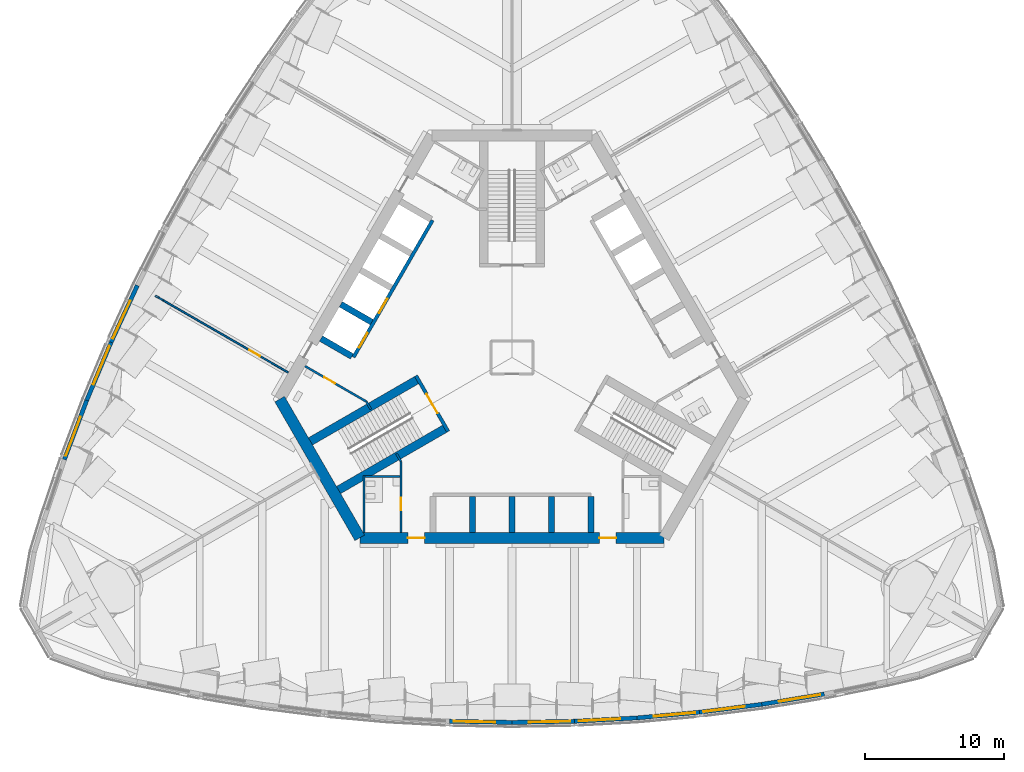
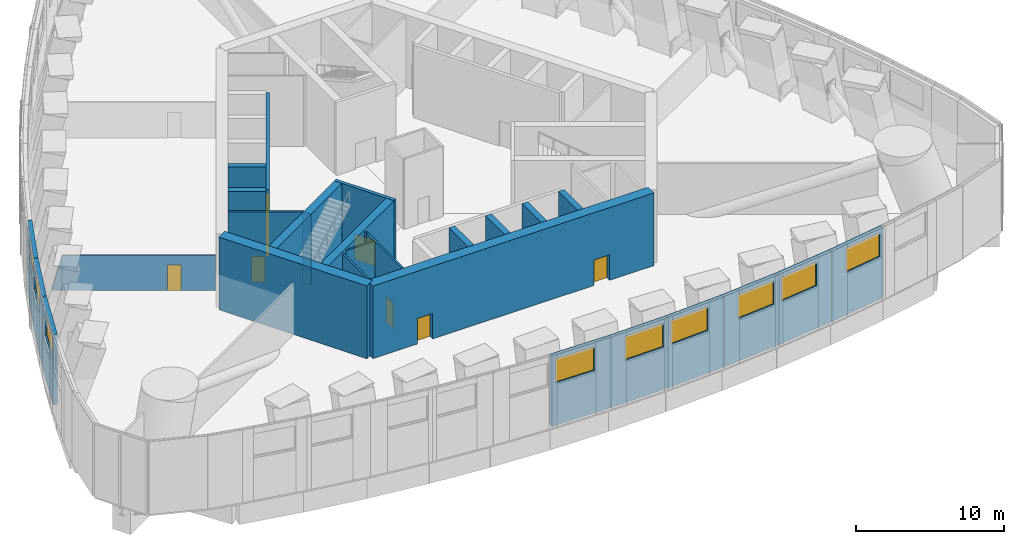
# One storey, part 7 of 25: 29 walls, 9 windows, 8 doors, 17 openings.
"""IFC4 building model written with IfcOpenShell, lengths in metres."""

from ifc_helpers import new_model, si_unit, direction, frame, frame_2d, origin, place, context, subcontext, project, spatial, polyline, rectangle, outline, extrude, material, layer, layer_set, type_object, element, fill, save


model = new_model("IFC4")

# Units and contexts
model_context = context("Model", 3, precision=1e-05, world=origin(), true_north=direction((0.0, 1.0)))
body_context = subcontext(model_context, "Body", "Model", "MODEL_VIEW")
ifc_project = project(units=[si_unit("LENGTHUNIT", "METRE"), si_unit("AREAUNIT", "SQUARE_METRE"), si_unit("VOLUMEUNIT", "CUBIC_METRE"), si_unit("PLANEANGLEUNIT", "RADIAN"), si_unit("MASSUNIT", "GRAM", prefix="KILO")], contexts=[model_context])

# Site, building, storey
site_placement = place(None, origin())
site = spatial("IfcSite", under=ifc_project, at=site_placement, CompositionType="ELEMENT")
building_placement = place(site_placement, origin())
building = spatial("IfcBuilding", under=site, at=building_placement, Name="Trefoil Bronze Tower", CompositionType="ELEMENT")
storey_placement = place(building_placement, frame((0.0, 0.0, 178.699951171875)))
storey = spatial("IfcBuildingStorey", under=building, at=storey_placement, Name="L41", CompositionType="ELEMENT", Elevation=178.699951171875)

# Wall, opening, window
ifc_material_1 = material(Name="Concrete B80", Category="concrete")
ifc_layer_1 = layer(ifc_material_1, 0.300048828125)
ifc_layer_set_1 = layer_set([ifc_layer_1], Name="Belt wall 300")
wall_type_1 = type_object("IfcWallType", Name="Belt wall 300", PredefinedType="SOLIDWALL", material=ifc_layer_set_1)
wall_1_placement = place(storey_placement, frame((-4.5, -26.218505859375, 0.0), z_axis=(0.0, 0.0, 1.0), x_axis=(0.999837820638, -0.018009231578, 0.0)))
wall_1 = element("IfcWall", 1, at=wall_1_placement, inside=storey, type_object=wall_type_1, Name="Belt wall T2.7", PredefinedType="SOLIDWALL", context=body_context, shape_type="SweptSolid", body=[
    extrude(rectangle(XDim=4.500732421875, YDim=0.300048828125, at=frame_2d((2.25048828125, 0.0))), origin(), (0.0, 0.0, 1.0), 5.800048828125),
])
opening_1_placement = place(wall_1_placement, frame((0.300048828125, 0.0, 3.5)))
opening_1 = element("IfcOpeningElement", 2, at=opening_1_placement, cuts=wall_1, Name="Opening LV1", PredefinedType="OPENING", context=body_context, shape_type="SweptSolid", body=[
    extrude(rectangle(XDim=3.0, YDim=2.0, at=frame_2d((1.5, 1.0))), frame((0.0, 0.159912109375, 0.0), z_axis=(0.0, -1.0, 0.0), x_axis=(1.0, 0.0, 0.0)), (0.0, 0.0, 1.0), 0.320068359375),
])
ifc_material_2 = material(Name="Bronze-finish aluminium louvre", Category="aluminium")
window_type = type_object("IfcWindowType", Name="Plant louvre 3000", PartitioningType="SINGLE_PANEL", PredefinedType="USERDEFINED", material=ifc_material_2)
window_1_placement = place(opening_1_placement, origin())
window_1 = element("IfcWindow", 3, at=window_1_placement, inside=storey, type_object=window_type, Name="Plant louvre L41 F1.7.1", ObjectType="LOUVRE", OverallHeight=2.0, OverallWidth=3.0, PartitioningType="SINGLE_PANEL", PredefinedType="USERDEFINED", context=body_context, shape_type="SweptSolid", body=[
    extrude(rectangle(XDim=3.0, YDim=2.0, at=frame_2d((1.5, 1.0))), frame((0.0, 0.030029296875, 0.0), z_axis=(0.0, -1.0, 0.0), x_axis=(1.0, 0.0, 0.0)), (0.0, 0.0, 1.0), 0.06005859375),
])
fill(opening_1, window_1)

wall_2_placement = place(storey_placement, frame((0.0, -26.299560546875, 0.0), z_axis=(0.0, 0.0, 1.0), x_axis=(0.999837820638, 0.018009231578, 0.0)))
wall_2 = element("IfcWall", 4, at=wall_2_placement, inside=storey, type_object=wall_type_1, Name="Belt wall T2.8", PredefinedType="SOLIDWALL", context=body_context, shape_type="SweptSolid", body=[
    extrude(rectangle(XDim=4.500732421875, YDim=0.300048828125, at=frame_2d((2.25048828125, 0.0))), origin(), (0.0, 0.0, 1.0), 5.800048828125),
])
opening_2_placement = place(wall_2_placement, frame((1.20068359375, 0.0, 3.5)))
opening_2 = element("IfcOpeningElement", 5, at=opening_2_placement, cuts=wall_2, Name="Opening LV1", PredefinedType="OPENING", context=body_context, shape_type="SweptSolid", body=[
    extrude(rectangle(XDim=3.0, YDim=2.0, at=frame_2d((1.5, 1.0))), frame((0.0, 0.159912109375, 0.0), z_axis=(0.0, -1.0, 0.0), x_axis=(1.0, 0.0, 0.0)), (0.0, 0.0, 1.0), 0.320068359375),
])
window_2_placement = place(opening_2_placement, origin())
window_2 = element("IfcWindow", 6, at=window_2_placement, inside=storey, type_object=window_type, Name="Plant louvre L41 F1.8.1", ObjectType="LOUVRE", OverallHeight=2.0, OverallWidth=3.0, PartitioningType="SINGLE_PANEL", PredefinedType="USERDEFINED", context=body_context, shape_type="SweptSolid", body=[
    extrude(rectangle(XDim=3.0, YDim=2.0, at=frame_2d((1.5, 1.0))), frame((0.0, 0.030029296875, 0.0), z_axis=(0.0, -1.0, 0.0), x_axis=(1.0, 0.0, 0.0)), (0.0, 0.0, 1.0), 0.06005859375),
])
fill(opening_2, window_2)

wall_3_placement = place(storey_placement, frame((4.5, -26.218505859375, 0.0), z_axis=(0.0, 0.0, 1.0), x_axis=(0.998537376538, 0.054065771581, 0.0)))
wall_3 = element("IfcWall", 7, at=wall_3_placement, inside=storey, type_object=wall_type_1, Name="Belt wall T2.9", PredefinedType="SOLIDWALL", context=body_context, shape_type="SweptSolid", body=[
    extrude(rectangle(XDim=4.506591796875, YDim=0.300048828125, at=frame_2d((2.25341796875, 0.0))), origin(), (0.0, 0.0, 1.0), 5.800048828125),
])
opening_3_placement = place(wall_3_placement, frame((0.300048828125, 0.0, 3.5)))
opening_3 = element("IfcOpeningElement", 8, at=opening_3_placement, cuts=wall_3, Name="Opening LV1", PredefinedType="OPENING", context=body_context, shape_type="SweptSolid", body=[
    extrude(rectangle(XDim=3.0, YDim=2.0, at=frame_2d((1.5, 1.0))), frame((0.0, 0.159912109375, 0.0), z_axis=(0.0, -1.0, 0.0), x_axis=(1.0, 0.0, 0.0)), (0.0, 0.0, 1.0), 0.320068359375),
])
window_3_placement = place(opening_3_placement, origin())
window_3 = element("IfcWindow", 9, at=window_3_placement, inside=storey, type_object=window_type, Name="Plant louvre L41 F1.9.1", ObjectType="LOUVRE", OverallHeight=2.0, OverallWidth=3.0, PartitioningType="SINGLE_PANEL", PredefinedType="USERDEFINED", context=body_context, shape_type="SweptSolid", body=[
    extrude(rectangle(XDim=3.0, YDim=2.0, at=frame_2d((1.5, 1.0))), frame((0.0, 0.030029296875, 0.0), z_axis=(0.0, -1.0, 0.0), x_axis=(1.0, 0.0, 0.0)), (0.0, 0.0, 1.0), 0.06005859375),
])
fill(opening_3, window_3)

wall_4_placement = place(storey_placement, frame((9.0, -25.974853515625, 0.0), z_axis=(0.0, 0.0, 1.0), x_axis=(0.995935173755, 0.090072913121, 0.0)))
wall_4 = element("IfcWall", 10, at=wall_4_placement, inside=storey, type_object=wall_type_1, Name="Belt wall T2.10", PredefinedType="SOLIDWALL", context=body_context, shape_type="SweptSolid", body=[
    extrude(rectangle(XDim=4.518310546875, YDim=0.300048828125, at=frame_2d((2.25927734375, 0.0))), origin(), (0.0, 0.0, 1.0), 5.800048828125),
])
opening_4_placement = place(wall_4_placement, frame((1.21826171875, 0.0, 3.5)))
opening_4 = element("IfcOpeningElement", 11, at=opening_4_placement, cuts=wall_4, Name="Opening LV1", PredefinedType="OPENING", context=body_context, shape_type="SweptSolid", body=[
    extrude(rectangle(XDim=3.0, YDim=2.0, at=frame_2d((1.5, 1.0))), frame((0.0, 0.159912109375, 0.0), z_axis=(0.0, -1.0, 0.0), x_axis=(1.0, 0.0, 0.0)), (0.0, 0.0, 1.0), 0.320068359375),
])
window_4_placement = place(opening_4_placement, origin())
window_4 = element("IfcWindow", 12, at=window_4_placement, inside=storey, type_object=window_type, Name="Plant louvre L41 F1.10.1", ObjectType="LOUVRE", OverallHeight=2.0, OverallWidth=3.0, PartitioningType="SINGLE_PANEL", PredefinedType="USERDEFINED", context=body_context, shape_type="SweptSolid", body=[
    extrude(rectangle(XDim=3.0, YDim=2.0, at=frame_2d((1.5, 1.0))), frame((0.0, 0.030029296875, 0.0), z_axis=(0.0, -1.0, 0.0), x_axis=(1.0, 0.0, 0.0)), (0.0, 0.0, 1.0), 0.06005859375),
])
fill(opening_4, window_4)

wall_5_placement = place(storey_placement, frame((13.5, -25.56787109375, 0.0), z_axis=(0.0, 0.0, 1.0), x_axis=(0.992010652594, 0.12615413247, 0.0)))
wall_5 = element("IfcWall", 13, at=wall_5_placement, inside=storey, type_object=wall_type_1, Name="Belt wall T2.11", PredefinedType="SOLIDWALL", context=body_context, shape_type="SweptSolid", body=[
    extrude(rectangle(XDim=4.5361328125, YDim=0.300048828125, at=frame_2d((2.26806640625, 0.0))), origin(), (0.0, 0.0, 1.0), 5.800048828125),
])
opening_5_placement = place(wall_5_placement, frame((0.300048828125, 0.0, 3.5)))
opening_5 = element("IfcOpeningElement", 14, at=opening_5_placement, cuts=wall_5, Name="Opening LV1", PredefinedType="OPENING", context=body_context, shape_type="SweptSolid", body=[
    extrude(rectangle(XDim=3.0, YDim=2.0, at=frame_2d((1.5, 1.0))), frame((0.0, 0.159912109375, 0.0), z_axis=(0.0, -1.0, 0.0), x_axis=(1.0, 0.0, 0.0)), (0.0, 0.0, 1.0), 0.320068359375),
])
window_5_placement = place(opening_5_placement, origin())
window_5 = element("IfcWindow", 15, at=window_5_placement, inside=storey, type_object=window_type, Name="Plant louvre L41 F1.11.1", ObjectType="LOUVRE", OverallHeight=2.0, OverallWidth=3.0, PartitioningType="SINGLE_PANEL", PredefinedType="USERDEFINED", context=body_context, shape_type="SweptSolid", body=[
    extrude(rectangle(XDim=3.0, YDim=2.0, at=frame_2d((1.5, 1.0))), frame((0.0, 0.030029296875, 0.0), z_axis=(0.0, -1.0, 0.0), x_axis=(1.0, 0.0, 0.0)), (0.0, 0.0, 1.0), 0.06005859375),
])
fill(opening_5, window_5)

wall_6_placement = place(storey_placement, frame((18.0, -24.99560546875, 0.0), z_axis=(0.0, 0.0, 1.0), x_axis=(0.986756114194, 0.162210884657, 0.0)))
wall_6 = element("IfcWall", 16, at=wall_6_placement, inside=storey, type_object=wall_type_1, Name="Belt wall T2.12", PredefinedType="SOLIDWALL", context=body_context, shape_type="SweptSolid", body=[
    extrude(rectangle(XDim=4.560302734375, YDim=0.300048828125, at=frame_2d((2.2802734375, 0.0))), origin(), (0.0, 0.0, 1.0), 5.800048828125),
])
opening_6_placement = place(wall_6_placement, frame((1.260498046875, 0.0, 3.5)))
opening_6 = element("IfcOpeningElement", 17, at=opening_6_placement, cuts=wall_6, Name="Opening LV1", PredefinedType="OPENING", context=body_context, shape_type="SweptSolid", body=[
    extrude(rectangle(XDim=3.0, YDim=2.0, at=frame_2d((1.5, 1.0))), frame((0.0, 0.159912109375, 0.0), z_axis=(0.0, -1.0, 0.0), x_axis=(1.0, 0.0, 0.0)), (0.0, 0.0, 1.0), 0.320068359375),
])
window_6_placement = place(opening_6_placement, origin())
window_6 = element("IfcWindow", 18, at=window_6_placement, inside=storey, type_object=window_type, Name="Plant louvre L41 F1.12.1", ObjectType="LOUVRE", OverallHeight=2.0, OverallWidth=3.0, PartitioningType="SINGLE_PANEL", PredefinedType="USERDEFINED", context=body_context, shape_type="SweptSolid", body=[
    extrude(rectangle(XDim=3.0, YDim=2.0, at=frame_2d((1.5, 1.0))), frame((0.0, 0.030029296875, 0.0), z_axis=(0.0, -1.0, 0.0), x_axis=(1.0, 0.0, 0.0)), (0.0, 0.0, 1.0), 0.06005859375),
])
fill(opening_6, window_6)

wall_7_placement = place(storey_placement, frame((-26.994873046875, 5.193115234375, 0.0), z_axis=(0.0, 0.0, 1.0), x_axis=(-0.419948870618, -0.907547765171, 0.0)))
wall_7 = element("IfcWall", 19, at=wall_7_placement, inside=storey, type_object=wall_type_1, Name="Belt wall T2.44", PredefinedType="SOLIDWALL", context=body_context, shape_type="SweptSolid", body=[
    extrude(rectangle(XDim=4.518310546875, YDim=0.300048828125, at=frame_2d((2.25927734375, 0.0))), origin(), (0.0, 0.0, 1.0), 5.800048828125),
])
opening_7_placement = place(wall_7_placement, frame((1.21826171875, 0.0, 3.5)))
opening_7 = element("IfcOpeningElement", 20, at=opening_7_placement, cuts=wall_7, Name="Opening LV1", PredefinedType="OPENING", context=body_context, shape_type="SweptSolid", body=[
    extrude(rectangle(XDim=3.0, YDim=2.0, at=frame_2d((1.5, 1.0))), frame((0.0, 0.159912109375, 0.0), z_axis=(0.0, -1.0, 0.0), x_axis=(1.0, 0.0, 0.0)), (0.0, 0.0, 1.0), 0.320068359375),
])
window_7_placement = place(opening_7_placement, origin())
window_7 = element("IfcWindow", 21, at=window_7_placement, inside=storey, type_object=window_type, Name="Plant louvre L41 F3.10.1", ObjectType="LOUVRE", OverallHeight=2.0, OverallWidth=3.0, PartitioningType="SINGLE_PANEL", PredefinedType="USERDEFINED", context=body_context, shape_type="SweptSolid", body=[
    extrude(rectangle(XDim=3.0, YDim=2.0, at=frame_2d((1.5, 1.0))), frame((0.0, 0.030029296875, 0.0), z_axis=(0.0, -1.0, 0.0), x_axis=(1.0, 0.0, 0.0)), (0.0, 0.0, 1.0), 0.06005859375),
])
fill(opening_7, window_7)

wall_8_placement = place(storey_placement, frame((-28.892333984375, 1.092529296875, 0.0), z_axis=(0.0, 0.0, 1.0), x_axis=(-0.386762112496, -0.922179520667, 0.0)))
wall_8 = element("IfcWall", 22, at=wall_8_placement, inside=storey, type_object=wall_type_1, Name="Belt wall T2.45", PredefinedType="SOLIDWALL", context=body_context, shape_type="SweptSolid", body=[
    extrude(rectangle(XDim=4.5361328125, YDim=0.300048828125, at=frame_2d((2.26806640625, 0.0))), origin(), (0.0, 0.0, 1.0), 5.800048828125),
])
opening_8_placement = place(wall_8_placement, frame((0.300048828125, 0.0, 3.5)))
opening_8 = element("IfcOpeningElement", 23, at=opening_8_placement, cuts=wall_8, Name="Opening LV1", PredefinedType="OPENING", context=body_context, shape_type="SweptSolid", body=[
    extrude(rectangle(XDim=3.0, YDim=2.0, at=frame_2d((1.5, 1.0))), frame((0.0, 0.159912109375, 0.0), z_axis=(0.0, -1.0, 0.0), x_axis=(1.0, 0.0, 0.0)), (0.0, 0.0, 1.0), 0.320068359375),
])
window_8_placement = place(opening_8_placement, origin())
window_8 = element("IfcWindow", 24, at=window_8_placement, inside=storey, type_object=window_type, Name="Plant louvre L41 F3.11.1", ObjectType="LOUVRE", OverallHeight=2.0, OverallWidth=3.0, PartitioningType="SINGLE_PANEL", PredefinedType="USERDEFINED", context=body_context, shape_type="SweptSolid", body=[
    extrude(rectangle(XDim=3.0, YDim=2.0, at=frame_2d((1.5, 1.0))), frame((0.0, 0.030029296875, 0.0), z_axis=(0.0, -1.0, 0.0), x_axis=(1.0, 0.0, 0.0)), (0.0, 0.0, 1.0), 0.06005859375),
])
fill(opening_8, window_8)

wall_9_placement = place(storey_placement, frame((-30.646728515625, -3.090576171875, 0.0), z_axis=(0.0, 0.0, 1.0), x_axis=(-0.352941426142, -0.935645418795, 0.0)))
wall_9 = element("IfcWall", 25, at=wall_9_placement, inside=storey, type_object=wall_type_1, Name="Belt wall T2.46", PredefinedType="SOLIDWALL", context=body_context, shape_type="SweptSolid", body=[
    extrude(rectangle(XDim=4.560546875, YDim=0.300048828125, at=frame_2d((2.2802734375, 0.0))), origin(), (0.0, 0.0, 1.0), 5.800048828125),
])
opening_9_placement = place(wall_9_placement, frame((1.260498046875, 0.0, 3.5)))
opening_9 = element("IfcOpeningElement", 26, at=opening_9_placement, cuts=wall_9, Name="Opening LV1", PredefinedType="OPENING", context=body_context, shape_type="SweptSolid", body=[
    extrude(rectangle(XDim=3.0, YDim=2.0, at=frame_2d((1.5, 1.0))), frame((0.0, 0.159912109375, 0.0), z_axis=(0.0, -1.0, 0.0), x_axis=(1.0, 0.0, 0.0)), (0.0, 0.0, 1.0), 0.320068359375),
])
window_9_placement = place(opening_9_placement, origin())
window_9 = element("IfcWindow", 27, at=window_9_placement, inside=storey, type_object=window_type, Name="Plant louvre L41 F3.12.1", ObjectType="LOUVRE", OverallHeight=2.0, OverallWidth=3.0, PartitioningType="SINGLE_PANEL", PredefinedType="USERDEFINED", context=body_context, shape_type="SweptSolid", body=[
    extrude(rectangle(XDim=3.0, YDim=2.0, at=frame_2d((1.5, 1.0))), frame((0.0, 0.030029296875, 0.0), z_axis=(0.0, -1.0, 0.0), x_axis=(1.0, 0.0, 0.0)), (0.0, 0.0, 1.0), 0.06005859375),
])
fill(opening_9, window_9)

# Wall, openings, doors
ifc_material_3 = material(Name="Concrete B80", Category="concrete")
ifc_layer_2 = layer(ifc_material_3, 0.800048828125)
ifc_layer_set_2 = layer_set([ifc_layer_2], Name="Core wall 800")
wall_type_2 = type_object("IfcWallType", Name="Core wall 800", PredefinedType="SHEAR", material=ifc_layer_set_2)
wall_10_placement = place(storey_placement, frame((-10.9697265625, -13.0, 0.0), z_axis=(0.0, 0.0, 1.0), x_axis=(1.0, 0.0, 0.0)))
wall_10 = element("IfcWall", 28, at=wall_10_placement, inside=storey, type_object=wall_type_2, Name="Core long wall 1 L41", PredefinedType="SHEAR", context=body_context, shape_type="SweptSolid", body=[
    extrude(rectangle(XDim=21.939453125, YDim=0.800048828125, at=frame_2d((10.9697265625, 0.0))), origin(), (0.0, 0.0, 1.0), 6.0),
])
opening_10_placement = place(wall_10_placement, frame((17.269775390625, 0.0, 0.0)))
opening_10 = element("IfcOpeningElement", 29, at=opening_10_placement, cuts=wall_10, Name="Opening D2", PredefinedType="OPENING", context=body_context, shape_type="SweptSolid", body=[
    extrude(rectangle(XDim=1.199951171875, YDim=2.10009765625, at=frame_2d((0.60009765625, 1.050048828125))), frame((0.0, 0.409912109375, 0.0), z_axis=(0.0, -1.0, 0.0), x_axis=(1.0, 0.0, 0.0)), (0.0, 0.0, 1.0), 0.820068359375),
])
opening_11_placement = place(wall_10_placement, frame((3.4697265625, 0.0, 0.0)))
opening_11 = element("IfcOpeningElement", 30, at=opening_11_placement, cuts=wall_10, Name="Opening D2", PredefinedType="OPENING", context=body_context, shape_type="SweptSolid", body=[
    extrude(rectangle(XDim=1.199951171875, YDim=2.10009765625, at=frame_2d((0.60009765625, 1.050048828125))), frame((0.0, 0.409912109375, 0.0), z_axis=(0.0, -1.0, 0.0), x_axis=(1.0, 0.0, 0.0)), (0.0, 0.0, 1.0), 0.820068359375),
])
ifc_material_4 = material(Name="Steel door", Category="steel")
door_type_1 = type_object("IfcDoorType", Name="Lobby door 1200", OperationType="SINGLE_SWING_RIGHT", PredefinedType="DOOR", material=ifc_material_4)
door_1_placement = place(opening_10_placement, origin())
door_1 = element("IfcDoor", 31, at=door_1_placement, inside=storey, type_object=door_type_1, Name="Lobby door F1+ L41", OperationType="SINGLE_SWING_RIGHT", OverallHeight=2.10009765625, OverallWidth=1.199951171875, PredefinedType="DOOR", context=body_context, shape_type="SweptSolid", body=[
    extrude(rectangle(XDim=1.199951171875, YDim=2.10009765625, at=frame_2d((0.60009765625, 1.050048828125))), frame((0.0, 0.02490234375, 0.0), z_axis=(0.0, -1.0, 0.0), x_axis=(1.0, 0.0, 0.0)), (0.0, 0.0, 1.0), 0.050048828125),
])
fill(opening_10, door_1)
door_2_placement = place(opening_11_placement, origin())
door_2 = element("IfcDoor", 32, at=door_2_placement, inside=storey, type_object=door_type_1, Name="Lobby door F1- L41", OperationType="SINGLE_SWING_LEFT", OverallHeight=2.10009765625, OverallWidth=1.199951171875, PredefinedType="DOOR", context=body_context, shape_type="SweptSolid", body=[
    extrude(rectangle(XDim=1.199951171875, YDim=2.10009765625, at=frame_2d((0.60009765625, 1.050048828125))), frame((0.0, 0.02490234375, 0.0), z_axis=(0.0, -1.0, 0.0), x_axis=(1.0, 0.0, 0.0)), (0.0, 0.0, 1.0), 0.050048828125),
])
fill(opening_11, door_2)

# Walls
wall_11_placement = place(storey_placement, frame((-16.7431640625, -3.0, 0.0), z_axis=(0.0, 0.0, 1.0), x_axis=(0.499995765644, -0.866027848477, 0.0)))
element("IfcWall", 33, at=wall_11_placement, inside=storey, type_object=wall_type_2, Name="Core short wall 3 L41", PredefinedType="SHEAR", context=body_context, shape_type="SweptSolid", body=[
    extrude(rectangle(XDim=11.546875, YDim=0.800048828125, at=frame_2d((5.7734375, 0.0))), origin(), (0.0, 0.0, 1.0), 6.0),
])
ifc_material_5 = material(Name="Glazed partition", Category="glass")
ifc_layer_3 = layer(ifc_material_5, 0.1201171875)
ifc_layer_set_3 = layer_set([ifc_layer_3], Name="Glazed partition 120")
wall_type_3 = type_object("IfcWallType", Name="Glazed partition 120", PredefinedType="PARTITIONING", material=ifc_layer_set_3)
wall_12_placement = place(storey_placement, frame((-25.122314453125, 4.112060546875, 0.0), z_axis=(0.0, 0.0, 1.0), x_axis=(-0.866002566612, 0.500039553057, 0.0)))
element("IfcWall", 34, at=wall_12_placement, inside=storey, type_object=wall_type_3, Name="Partition F3 L41", PredefinedType="PARTITIONING", context=body_context, shape_type="SweptSolid", body=[
    extrude(outline(polyline([(0.0, 0.0), (0.66650390625, 0.0), (0.66650390625, 0.050048828125), (0.0, 2.900146484375), (0.0, 0.0)])), frame((0.0, 0.06005859375, 0.0), z_axis=(0.0, -1.0, 0.0), x_axis=(1.0, 0.0, 0.0)), (0.0, 0.0, 1.0), 0.1201171875),
])

# Wall, opening, door
wall_13_placement = place(storey_placement, frame((-16.1220703125, -1.084228515625, 0.0), z_axis=(0.0, 0.0, 1.0), x_axis=(-0.866025583565, 0.49999968861, 0.0)))
wall_13 = element("IfcWall", 35, at=wall_13_placement, inside=storey, type_object=wall_type_3, Name="Partition F3 L41", PredefinedType="PARTITIONING", context=body_context, shape_type="SweptSolid", body=[
    extrude(rectangle(XDim=10.392578125, YDim=0.1201171875, at=frame_2d((5.1962890625, 0.0))), origin(), (0.0, 0.0, 1.0), 2.900146484375),
])
opening_12_placement = place(wall_13_placement, frame((2.35009765625, 0.0, 0.0)))
opening_12 = element("IfcOpeningElement", 36, at=opening_12_placement, cuts=wall_13, Name="Opening D8", PredefinedType="OPENING", context=body_context, shape_type="SweptSolid", body=[
    extrude(rectangle(XDim=0.89990234375, YDim=2.10009765625, at=frame_2d((0.449951171875, 1.050048828125))), frame((0.0, 0.070068359375, 0.0), z_axis=(0.0, -1.0, 0.0), x_axis=(1.0, 0.0, 0.0)), (0.0, 0.0, 1.0), 0.14013671875),
])
ifc_material_6 = material(Name="Timber door", Category="wood")
door_type_2 = type_object("IfcDoorType", Name="Office door 900", OperationType="SINGLE_SWING_LEFT", PredefinedType="DOOR", material=ifc_material_6)
door_3_placement = place(opening_12_placement, frame((0.89990234375, 0.0, 0.0), z_axis=(0.0, 0.0, 1.0), x_axis=(-1.0, 0.0, 0.0)))
door_3 = element("IfcDoor", 37, at=door_3_placement, inside=storey, type_object=door_type_2, Name="Switchgear plant room door F3 L41", OperationType="SINGLE_SWING_RIGHT", OverallHeight=2.10009765625, OverallWidth=0.89990234375, PredefinedType="DOOR", context=body_context, shape_type="SweptSolid", body=[
    extrude(rectangle(XDim=0.89990234375, YDim=2.10009765625, at=frame_2d((0.449951171875, 1.050048828125))), frame((0.0, 0.02490234375, 0.0), z_axis=(0.0, -1.0, 0.0), x_axis=(1.0, 0.0, 0.0)), (0.0, 0.0, 1.0), 0.050048828125),
])
fill(opening_12, door_3)

# Walls
ifc_material_7 = material(Name="Concrete B80", Category="concrete")
ifc_layer_4 = layer(ifc_material_7, 0.449951171875)
ifc_layer_set_4 = layer_set([ifc_layer_4], Name="Outrigger shaft wall 450")
wall_type_4 = type_object("IfcWallType", Name="Outrigger shaft wall 450", PredefinedType="SHEAR", material=ifc_layer_set_4)
for number, where, z_axis, x_axis, name in (
    (38, (-2.85009765625, -10.02490234375, 0.0), (0.0, 0.0, 1.0), (0.0, -1.0, 0.0), "Lift shaft side wall A1 L41"),
    (39, (0.0, -10.02490234375, 0.0), (0.0, 0.0, 1.0), (0.0, -1.0, 0.0), "Lift shaft side wall A2 L41"),
    (40, (2.85009765625, -10.02490234375, 0.0), (0.0, 0.0, 1.0), (0.0, -1.0, 0.0), "Lift shaft side wall A3 L41"),
    (41, (5.699951171875, -10.02490234375, 0.0), (0.0, 0.0, 1.0), (0.0, -1.0, 0.0), "Lift shaft side wall A4 L41"),
):
    element("IfcWall", number, at=place(storey_placement, frame(where, z_axis=z_axis, x_axis=x_axis)), inside=storey, type_object=wall_type_4, Name=name, PredefinedType="SHEAR", context=body_context, shape_type="SweptSolid", body=[
        extrude(rectangle(XDim=2.5751953125, YDim=0.449951171875, at=frame_2d((1.28759765625, 0.0))), origin(), (0.0, 0.0, 1.0), 6.0),
    ])
for number, where, z_axis, x_axis, name in (
    (42, (-10.10693359375, 2.54443359375, 0.0), (0.0, 0.0, 1.0), (-0.866046643894, 0.499963209246, 0.0), "Lift shaft side wall C3 L41"),
    (43, (-11.531982421875, 0.076171875, 0.0), (0.0, 0.0, 1.0), (-0.866005588531, 0.500034319456, 0.0), "Lift shaft side wall C4 L41"),
):
    element("IfcWall", number, at=place(storey_placement, frame(where, z_axis=z_axis, x_axis=x_axis)), inside=storey, type_object=wall_type_4, Name=name, PredefinedType="SHEAR", context=body_context, shape_type="SweptSolid", body=[
        extrude(rectangle(XDim=2.574951171875, YDim=0.449951171875, at=frame_2d((1.28759765625, 0.0))), origin(), (0.0, 0.0, 1.0), 6.0),
    ])

# Wall, opening, door
ifc_material_8 = material(Name="Gypsum board on steel studs", Category="steel")
ifc_layer_5 = layer(ifc_material_8, 0.14990234375)
ifc_layer_set_5 = layer_set([ifc_layer_5], Name="Partition 150")
wall_type_5 = type_object("IfcWallType", Name="Partition 150", PredefinedType="PARTITIONING", material=ifc_layer_set_5)
wall_14_placement = place(storey_placement, frame((-8.0, -7.5, 0.0), z_axis=(0.0, 0.0, 1.0), x_axis=(0.0, -1.0, 0.0)))
wall_14 = element("IfcWall", 44, at=wall_14_placement, inside=storey, type_object=wall_type_5, Name="Passage wall F1- L41", PredefinedType="PARTITIONING", context=body_context, shape_type="SweptSolid", body=[
    extrude(rectangle(XDim=5.10009765625, YDim=0.14990234375, at=frame_2d((2.550048828125, 0.0))), origin(), (0.0, 0.0, 1.0), 5.800048828125),
])
opening_13_placement = place(wall_14_placement, frame((2.60009765625, 0.0, 0.0)))
opening_13 = element("IfcOpeningElement", 45, at=opening_13_placement, cuts=wall_14, Name="Opening D3", PredefinedType="OPENING", context=body_context, shape_type="SweptSolid", body=[
    extrude(rectangle(XDim=0.89990234375, YDim=2.10009765625, at=frame_2d((0.449951171875, 1.050048828125))), frame((0.0, 0.0849609375, 0.0), z_axis=(0.0, -1.0, 0.0), x_axis=(1.0, 0.0, 0.0)), (0.0, 0.0, 1.0), 0.169921875),
])
ifc_material_9 = material(Name="Timber door", Category="wood")
door_type_3 = type_object("IfcDoorType", Name="WC door 900", OperationType="SINGLE_SWING_LEFT", PredefinedType="DOOR", material=ifc_material_9)
door_4_placement = place(opening_13_placement, frame((0.89990234375, 0.0, 0.0), z_axis=(0.0, 0.0, 1.0), x_axis=(-1.0, 0.0, 0.0)))
door_4 = element("IfcDoor", 46, at=door_4_placement, inside=storey, type_object=door_type_3, Name="WC (women) door L41", OperationType="SINGLE_SWING_RIGHT", OverallHeight=2.10009765625, OverallWidth=0.89990234375, PredefinedType="DOOR", context=body_context, shape_type="SweptSolid", body=[
    extrude(rectangle(XDim=0.89990234375, YDim=2.10009765625, at=frame_2d((0.449951171875, 1.050048828125))), frame((0.0, 0.02490234375, 0.0), z_axis=(0.0, -1.0, 0.0), x_axis=(1.0, 0.0, 0.0)), (0.0, 0.0, 1.0), 0.050048828125),
])
fill(opening_13, door_4)

wall_15_placement = place(storey_placement, frame((-10.4951171875, -3.17822265625, 0.0), z_axis=(0.0, 0.0, 1.0), x_axis=(-0.86602216432, 0.500005610874, 0.0)))
wall_15 = element("IfcWall", 47, at=wall_15_placement, inside=storey, type_object=wall_type_5, Name="Passage wall F3+ L41", PredefinedType="PARTITIONING", context=body_context, shape_type="SweptSolid", body=[
    extrude(rectangle(XDim=5.10009765625, YDim=0.14990234375, at=frame_2d((2.550048828125, 0.0))), origin(), (0.0, 0.0, 1.0), 5.800048828125),
])
opening_14_placement = place(wall_15_placement, frame((2.60009765625, 0.0, 0.0)))
opening_14 = element("IfcOpeningElement", 48, at=opening_14_placement, cuts=wall_15, Name="Opening D3", PredefinedType="OPENING", context=body_context, shape_type="SweptSolid", body=[
    extrude(rectangle(XDim=0.89990234375, YDim=2.10009765625, at=frame_2d((0.449951171875, 1.050048828125))), frame((0.0, 0.0849609375, 0.0), z_axis=(0.0, -1.0, 0.0), x_axis=(1.0, 0.0, 0.0)), (0.0, 0.0, 1.0), 0.169921875),
])
door_5_placement = place(opening_14_placement, origin())
door_5 = element("IfcDoor", 49, at=door_5_placement, inside=storey, type_object=door_type_3, Name="Accessible WC door L41", OperationType="SINGLE_SWING_RIGHT", OverallHeight=2.10009765625, OverallWidth=0.89990234375, PredefinedType="DOOR", context=body_context, shape_type="SweptSolid", body=[
    extrude(rectangle(XDim=0.89990234375, YDim=2.10009765625, at=frame_2d((0.449951171875, 1.050048828125))), frame((0.0, 0.02490234375, 0.0), z_axis=(0.0, -1.0, 0.0), x_axis=(1.0, 0.0, 0.0)), (0.0, 0.0, 1.0), 0.050048828125),
])
fill(opening_14, door_5)

# Walls
for number, where, z_axis, x_axis, name in (
    (50, (-10.4951171875, -3.17822265625, 0.0), (0.0, 0.0, 1.0), (0.499842556608, -0.866116284689, 0.0), "WC wall ST3-1 L41"),
    (51, (-8.0, -7.5, 0.0), (0.0, 0.0, 1.0), (-0.499842556608, 0.866116284689, 0.0), "WC wall ST3+1 L41"),
):
    element("IfcWall", number, at=place(storey_placement, frame(where, z_axis=z_axis, x_axis=x_axis)), inside=storey, type_object=wall_type_5, Name=name, PredefinedType="PARTITIONING", context=body_context, shape_type="SweptSolid", body=[
        extrude(rectangle(XDim=0.645263671875, YDim=0.14990234375, at=frame_2d((0.32275390625, 0.0))), origin(), (0.0, 0.0, 1.0), 5.800048828125),
    ])
wall_16_placement = place(storey_placement, frame((-10.659912109375, -8.5, 0.0), z_axis=(0.0, 0.0, 1.0), x_axis=(0.0, -1.0, 0.0)))
element("IfcWall", 52, at=wall_16_placement, inside=storey, type_object=wall_type_5, Name="WC partition WC (women) L41", PredefinedType="PARTITIONING", context=body_context, shape_type="SweptSolid", body=[
    extrude(rectangle(XDim=4.10009765625, YDim=0.14990234375, at=frame_2d((2.050048828125, 0.0))), origin(), (0.0, 0.0, 1.0), 5.800048828125),
])
wall_17_placement = place(storey_placement, frame((-8.074951171875, -8.574951171875, 0.0), z_axis=(0.0, 0.0, 1.0), x_axis=(-1.0, 0.0, 0.0)))
element("IfcWall", 53, at=wall_17_placement, inside=storey, type_object=wall_type_5, Name="WC partition WC (women) L41", PredefinedType="PARTITIONING", context=body_context, shape_type="SweptSolid", body=[
    extrude(rectangle(XDim=2.510009765625, YDim=0.14990234375, at=frame_2d((1.2548828125, 0.0))), origin(), (0.0, 0.0, 1.0), 5.800048828125),
])

# Wall, openings, doors
ifc_material_10 = material(Name="Concrete B80", Category="concrete")
ifc_layer_6 = layer(ifc_material_10, 0.25)
ifc_layer_set_6 = layer_set([ifc_layer_6], Name="Shaft wall 250")
wall_type_6 = type_object("IfcWallType", Name="Shaft wall 250", PredefinedType="SHEAR", material=ifc_layer_set_6)
wall_18_placement = place(storey_placement, frame((-5.7236328125, 9.88623046875, 0.0), z_axis=(0.0, 0.0, 1.0), x_axis=(-0.500001763848, -0.866024385424, 0.0)))
wall_18 = element("IfcWall", 54, at=wall_18_placement, inside=storey, type_object=wall_type_6, Name="Lift shaft front wall C L41", PredefinedType="SHEAR", context=body_context, shape_type="SweptSolid", body=[
    extrude(rectangle(XDim=11.39990234375, YDim=0.25, at=frame_2d((5.699951171875, 0.0))), origin(), (0.0, 0.0, 1.0), 6.0),
])
opening_15_placement = place(wall_18_placement, frame((6.52490234375, 0.0, 0.0)))
opening_15 = element("IfcOpeningElement", 55, at=opening_15_placement, cuts=wall_18, Name="Opening LD-FL1", PredefinedType="OPENING", context=body_context, shape_type="SweptSolid", body=[
    extrude(rectangle(XDim=1.199951171875, YDim=2.199951171875, at=frame_2d((0.60009765625, 1.10009765625))), frame((0.0, 0.135009765625, 0.0), z_axis=(0.0, -1.0, 0.0), x_axis=(1.0, 0.0, 0.0)), (0.0, 0.0, 1.0), 0.27001953125),
])
opening_16_placement = place(wall_18_placement, frame((9.375, 0.0, 0.0)))
opening_16 = element("IfcOpeningElement", 56, at=opening_16_placement, cuts=wall_18, Name="Opening LD-FL2", PredefinedType="OPENING", context=body_context, shape_type="SweptSolid", body=[
    extrude(rectangle(XDim=1.199951171875, YDim=2.199951171875, at=frame_2d((0.60009765625, 1.10009765625))), frame((0.0, 0.135009765625, 0.0), z_axis=(0.0, -1.0, 0.0), x_axis=(1.0, 0.0, 0.0)), (0.0, 0.0, 1.0), 0.27001953125),
])
ifc_material_11 = material(Name="Steel door", Category="steel")
door_type_4 = type_object("IfcDoorType", Name="Lift landing door 1200", OperationType="DOUBLE_DOOR_SLIDING", PredefinedType="DOOR", material=ifc_material_11)
door_6_placement = place(opening_15_placement, origin())
door_6 = element("IfcDoor", 57, at=door_6_placement, inside=storey, type_object=door_type_4, Name="Lift FL1 landing door L41", OperationType="DOUBLE_DOOR_SLIDING", OverallHeight=2.199951171875, OverallWidth=1.199951171875, PredefinedType="DOOR", context=body_context, shape_type="SweptSolid", body=[
    extrude(rectangle(XDim=1.199951171875, YDim=2.199951171875, at=frame_2d((0.60009765625, 1.10009765625))), frame((0.0, 0.02490234375, 0.0), z_axis=(0.0, -1.0, 0.0), x_axis=(1.0, 0.0, 0.0)), (0.0, 0.0, 1.0), 0.050048828125),
])
fill(opening_15, door_6)
door_7_placement = place(opening_16_placement, origin())
door_7 = element("IfcDoor", 58, at=door_7_placement, inside=storey, type_object=door_type_4, Name="Lift FL2 landing door L41", OperationType="DOUBLE_DOOR_SLIDING", OverallHeight=2.199951171875, OverallWidth=1.199951171875, PredefinedType="DOOR", context=body_context, shape_type="SweptSolid", body=[
    extrude(rectangle(XDim=1.199951171875, YDim=2.199951171875, at=frame_2d((0.60009765625, 1.10009765625))), frame((0.0, 0.02490234375, 0.0), z_axis=(0.0, -1.0, 0.0), x_axis=(1.0, 0.0, 0.0)), (0.0, 0.0, 1.0), 0.050048828125),
])
fill(opening_16, door_7)

# Wall, opening, door
wall_19_placement = place(storey_placement, frame((-6.921630859375, -1.3115234375, 0.0), z_axis=(0.0, 0.0, 1.0), x_axis=(0.499984536904, -0.866034331223, 0.0)))
wall_19 = element("IfcWall", 59, at=wall_19_placement, inside=storey, type_object=wall_type_6, Name="Stair end wall ST3 L41", PredefinedType="SHEAR", context=body_context, shape_type="SweptSolid", body=[
    extrude(rectangle(XDim=4.650146484375, YDim=0.25, at=frame_2d((2.3251953125, 0.0))), origin(), (0.0, 0.0, 1.0), 6.0),
])
opening_17_placement = place(wall_19_placement, frame((1.52490234375, 0.0, 0.0)))
opening_17 = element("IfcOpeningElement", 60, at=opening_17_placement, cuts=wall_19, Name="Opening D1", PredefinedType="OPENING", context=body_context, shape_type="SweptSolid", body=[
    extrude(rectangle(XDim=1.60009765625, YDim=2.10009765625, at=frame_2d((0.800048828125, 1.050048828125))), frame((0.0, 0.135009765625, 0.0), z_axis=(0.0, -1.0, 0.0), x_axis=(1.0, 0.0, 0.0)), (0.0, 0.0, 1.0), 0.27001953125),
])
ifc_material_12 = material(Name="Steel door", Category="steel")
door_type_5 = type_object("IfcDoorType", Name="Stair door 1600", OperationType="DOUBLE_DOOR_SINGLE_SWING", PredefinedType="DOOR", material=ifc_material_12)
door_8_placement = place(opening_17_placement, frame((1.60009765625, 0.0, 0.0), z_axis=(0.0, 0.0, 1.0), x_axis=(-1.0, 0.0, 0.0)))
door_8 = element("IfcDoor", 61, at=door_8_placement, inside=storey, type_object=door_type_5, Name="Stair door ST3 L41", OperationType="DOUBLE_DOOR_SINGLE_SWING", OverallHeight=2.10009765625, OverallWidth=1.60009765625, PredefinedType="DOOR", context=body_context, shape_type="SweptSolid", body=[
    extrude(rectangle(XDim=1.60009765625, YDim=2.10009765625, at=frame_2d((0.800048828125, 1.050048828125))), frame((0.0, 0.02490234375, 0.0), z_axis=(0.0, -1.0, 0.0), x_axis=(1.0, 0.0, 0.0)), (0.0, 0.0, 1.0), 0.050048828125),
])
fill(opening_17, door_8)

# Walls
ifc_material_13 = material(Name="Concrete B80", Category="concrete")
ifc_layer_7 = layer(ifc_material_13, 0.60009765625)
ifc_layer_set_7 = layer_set([ifc_layer_7], Name="Stair wall 600")
wall_type_7 = type_object("IfcWallType", Name="Stair wall 600", PredefinedType="SHEAR", material=ifc_layer_set_7)
for number, where, z_axis, x_axis, name in (
    (62, (-6.663330078125, -1.5087890625, 0.0), (0.0, 0.0, 1.0), (-0.866019375473, -0.500010441196, 0.0), "Stair wall ST3 L41"),
    (63, (-4.638427734375, -5.01611328125, 0.0), (0.0, 0.0, 1.0), (-0.866019375473, -0.500010441196, 0.0), "Stair wall ST3 L41"),
):
    element("IfcWall", number, at=place(storey_placement, frame(where, z_axis=z_axis, x_axis=x_axis)), inside=storey, type_object=wall_type_7, Name=name, PredefinedType="SHEAR", context=body_context, shape_type="SweptSolid", body=[
        extrude(rectangle(XDim=9.074951171875, YDim=0.60009765625, at=frame_2d((4.53759765625, 0.0))), origin(), (0.0, 0.0, 1.0), 6.0),
    ])

save(model, "model.ifc")
